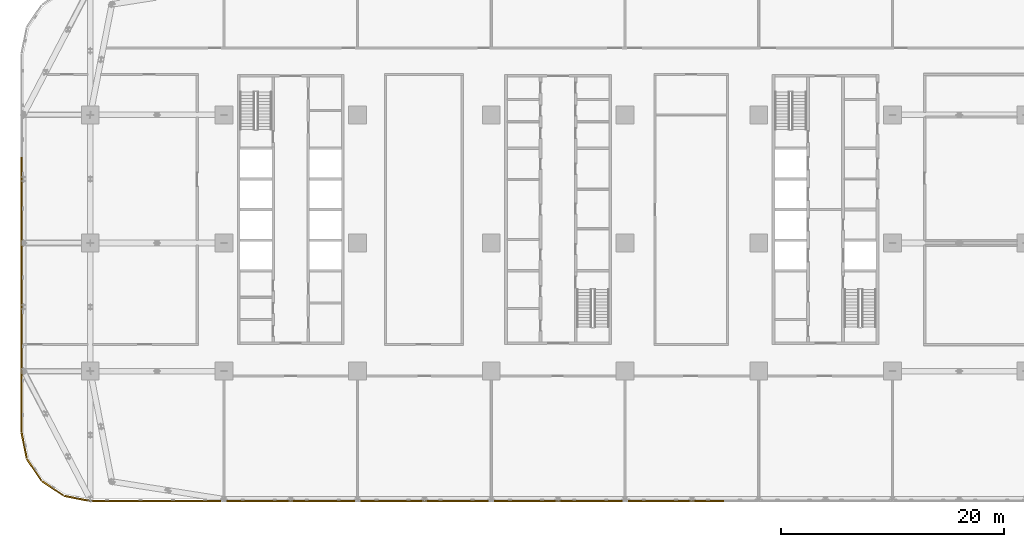
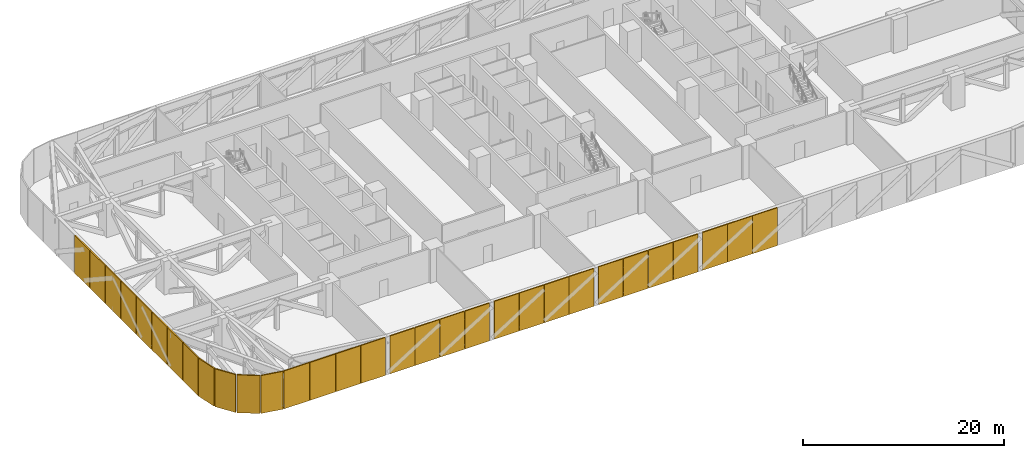
# One storey, part 20 of 25: 31 coverings.
"""IFC4 building model written with IfcOpenShell, lengths in metres."""

from ifc_helpers import new_model, si_unit, direction, frame, origin, origin_2d, place, context, subcontext, project, spatial, rectangle, extrude, material, type_object, element, save


model = new_model("IFC4")

# Units and contexts
model_context = context("Model", 3, precision=1e-05, world=origin(), true_north=direction((0.0, 1.0)))
body_context = subcontext(model_context, "Body", "Model", "MODEL_VIEW")
ifc_project = project(units=[si_unit("LENGTHUNIT", "METRE"), si_unit("AREAUNIT", "SQUARE_METRE"), si_unit("VOLUMEUNIT", "CUBIC_METRE"), si_unit("PLANEANGLEUNIT", "RADIAN"), si_unit("MASSUNIT", "GRAM", prefix="KILO")], contexts=[model_context])

# Site, building, storey
site_placement = place(None, origin())
site = spatial("IfcSite", under=ifc_project, at=site_placement, CompositionType="ELEMENT")
building_placement = place(site_placement, origin())
building = spatial("IfcBuilding", under=site, at=building_placement, Name="Mahtab Terrace Research Tower", CompositionType="ELEMENT")
storey_placement = place(building_placement, frame((0.0, 0.0, 41.60009765625)))
storey = spatial("IfcBuildingStorey", under=building, at=storey_placement, Name="L09", CompositionType="ELEMENT", Elevation=41.60009765625)

# Coverings
ifc_material = material(Name="Natural anodised aluminium", Category="aluminium")
covering_type = type_object("IfcCoveringType", Name="Plant storey louvre bay", PredefinedType="CLADDING", material=ifc_material)
for number, where, z_axis, x_axis, name in (
    (1, (-48.159912109375, 6.181884765625, -0.55029296875), (0.0, 0.0, 1.0), (0.0, -1.0, 0.0), "Louvre bay L09 60"),
    (2, (-48.159912109375, 3.0908203125, -0.55029296875), (0.0, 0.0, 1.0), (0.0, -1.0, 0.0), "Louvre bay L09 61"),
    (3, (-48.159912109375, 0.0, -0.55029296875), (0.0, 0.0, 1.0), (0.0, -1.0, 0.0), "Louvre bay L09 62"),
    (4, (-48.159912109375, -3.0908203125, -0.55029296875), (0.0, 0.0, 1.0), (0.0, -1.0, 0.0), "Louvre bay L09 63"),
    (5, (-48.159912109375, -6.181884765625, -0.55029296875), (0.0, 0.0, 1.0), (0.0, -1.0, 0.0), "Louvre bay L09 64"),
    (6, (-48.159912109375, -9.272705078125, -0.55029296875), (0.0, 0.0, 1.0), (0.0, -1.0, 0.0), "Louvre bay L09 65"),
    (7, (-48.159912109375, -12.363525390625, -0.55029296875), (0.0, 0.0, 1.0), (0.0, -1.0, 0.0), "Louvre bay L09 66"),
    (8, (-48.159912109375, -15.45458984375, -0.55029296875), (0.0, 0.0, 1.0), (0.0, -1.0, 0.0), "Louvre bay L09 67"),
):
    element("IfcCovering", number, at=place(storey_placement, frame(where, z_axis=z_axis, x_axis=x_axis)), inside=storey, type_object=covering_type, Name=name, PredefinedType="CLADDING", context=body_context, shape_type="SweptSolid", body=[
        extrude(rectangle(XDim=3.051025390625, YDim=0.139892578125, at=origin_2d()), origin(), (0.0, 0.0, 1.0), 4.610107421875),
    ])
for number, where, z_axis, x_axis, name in (
    (9, (-47.928466796875, -18.17919921875, -0.55029296875), (0.0, 0.0, 1.0), (0.195212442692, -0.980760981187, 0.0), "Louvre bay L09 68"),
    (10, (-47.026123046875, -20.3583984375, -0.55029296875), (0.0, 0.0, 1.0), (0.555291490808, -0.831655794326, 0.0), "Louvre bay L09 69"),
    (11, (-45.3583984375, -22.026123046875, -0.55029296875), (0.0, 0.0, 1.0), (0.831655794326, -0.555291490808, 0.0), "Louvre bay L09 70"),
    (12, (-43.17919921875, -22.928466796875, -0.55029296875), (0.0, 0.0, 1.0), (0.980760981187, -0.195212442692, 0.0), "Louvre bay L09 71"),
):
    element("IfcCovering", number, at=place(storey_placement, frame(where, z_axis=z_axis, x_axis=x_axis)), inside=storey, type_object=covering_type, Name=name, PredefinedType="CLADDING", context=body_context, shape_type="SweptSolid", body=[
        extrude(rectangle(XDim=2.301025390625, YDim=0.139892578125, at=origin_2d()), origin(), (0.0, 0.0, 1.0), 4.610107421875),
    ])
for number, where, z_axis, x_axis, name in (
    (13, (-40.5, -23.159912109375, -0.55029296875), (0.0, 0.0, 1.0), (1.0, 0.0, 0.0), "Louvre bay L09 72"),
    (14, (-37.5, -23.159912109375, -0.55029296875), (0.0, 0.0, 1.0), (1.0, 0.0, 0.0), "Louvre bay L09 73"),
):
    element("IfcCovering", number, at=place(storey_placement, frame(where, z_axis=z_axis, x_axis=x_axis)), inside=storey, type_object=covering_type, Name=name, PredefinedType="CLADDING", context=body_context, shape_type="SweptSolid", body=[
        extrude(rectangle(XDim=2.9599609375, YDim=0.139892578125, at=origin_2d()), origin(), (0.0, 0.0, 1.0), 4.610107421875),
    ])
for number, where, z_axis, x_axis, name in (
    (15, (-34.562255859375, -23.159912109375, -0.55029296875), (0.0, 0.0, 1.0), (1.0, 0.0, 0.0), "Louvre bay L09 74"),
    (16, (-31.686767578125, -23.159912109375, -0.55029296875), (0.0, 0.0, 1.0), (1.0, 0.0, 0.0), "Louvre bay L09 75"),
    (17, (-28.313232421875, -23.159912109375, -0.55029296875), (0.0, 0.0, 1.0), (1.0, 0.0, 0.0), "Louvre bay L09 76"),
    (18, (-25.437744140625, -23.159912109375, -0.55029296875), (0.0, 0.0, 1.0), (1.0, 0.0, 0.0), "Louvre bay L09 77"),
    (19, (-22.562255859375, -23.159912109375, -0.55029296875), (0.0, 0.0, 1.0), (1.0, 0.0, 0.0), "Louvre bay L09 78"),
    (20, (-19.686767578125, -23.159912109375, -0.55029296875), (0.0, 0.0, 1.0), (1.0, 0.0, 0.0), "Louvre bay L09 79"),
    (21, (-16.313232421875, -23.159912109375, -0.55029296875), (0.0, 0.0, 1.0), (1.0, 0.0, 0.0), "Louvre bay L09 80"),
    (22, (-13.437744140625, -23.159912109375, -0.55029296875), (0.0, 0.0, 1.0), (1.0, 0.0, 0.0), "Louvre bay L09 81"),
    (23, (-10.562255859375, -23.159912109375, -0.55029296875), (0.0, 0.0, 1.0), (1.0, 0.0, 0.0), "Louvre bay L09 82"),
    (24, (-7.686767578125, -23.159912109375, -0.55029296875), (0.0, 0.0, 1.0), (1.0, 0.0, 0.0), "Louvre bay L09 83"),
    (25, (-4.313232421875, -23.159912109375, -0.55029296875), (0.0, 0.0, 1.0), (1.0, 0.0, 0.0), "Louvre bay L09 84"),
    (26, (-1.437744140625, -23.159912109375, -0.55029296875), (0.0, 0.0, 1.0), (1.0, 0.0, 0.0), "Louvre bay L09 85"),
    (27, (1.437744140625, -23.159912109375, -0.55029296875), (0.0, 0.0, 1.0), (1.0, 0.0, 0.0), "Louvre bay L09 86"),
    (28, (4.313232421875, -23.159912109375, -0.55029296875), (0.0, 0.0, 1.0), (1.0, 0.0, 0.0), "Louvre bay L09 87"),
    (29, (7.686767578125, -23.159912109375, -0.55029296875), (0.0, 0.0, 1.0), (1.0, 0.0, 0.0), "Louvre bay L09 88"),
    (30, (10.562255859375, -23.159912109375, -0.55029296875), (0.0, 0.0, 1.0), (1.0, 0.0, 0.0), "Louvre bay L09 89"),
    (31, (13.437744140625, -23.159912109375, -0.55029296875), (0.0, 0.0, 1.0), (1.0, 0.0, 0.0), "Louvre bay L09 90"),
):
    element("IfcCovering", number, at=place(storey_placement, frame(where, z_axis=z_axis, x_axis=x_axis)), inside=storey, type_object=covering_type, Name=name, PredefinedType="CLADDING", context=body_context, shape_type="SweptSolid", body=[
        extrude(rectangle(XDim=2.83544921875, YDim=0.139892578125, at=origin_2d()), origin(), (0.0, 0.0, 1.0), 4.610107421875),
    ])

save(model, "model.ifc")
